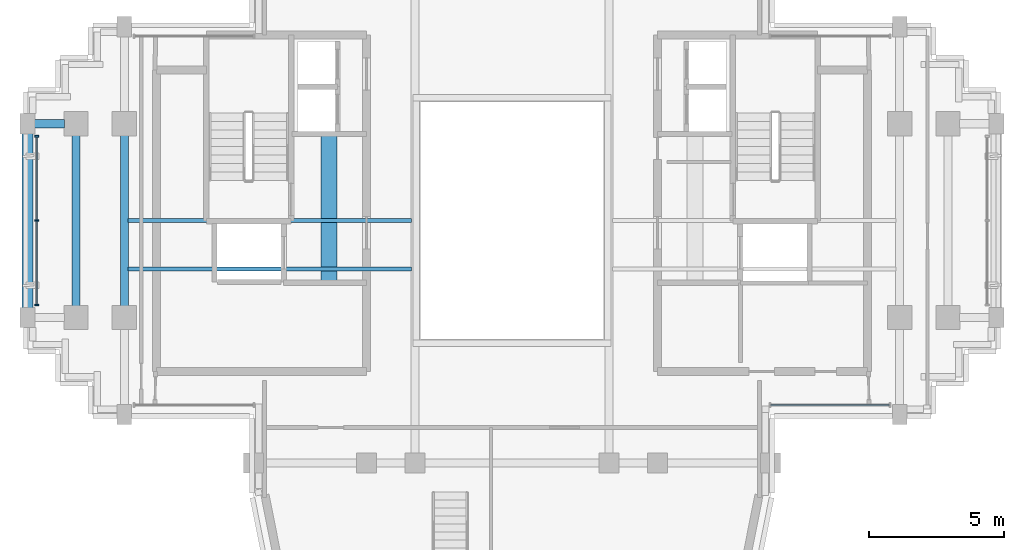
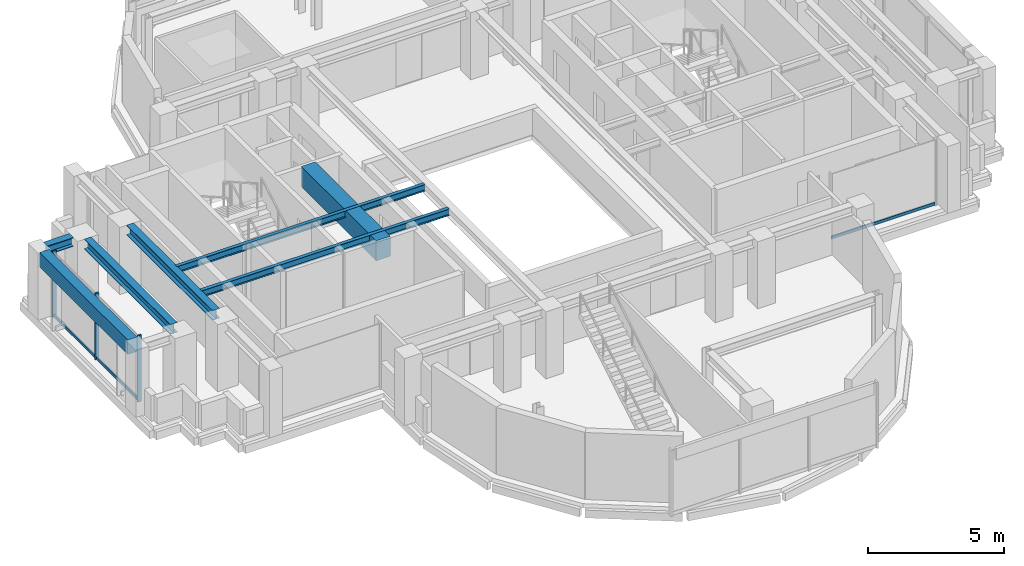
# One storey, part 4 of 12: 7 beams, 6 members, 2 elements without a shape of their own.
"""IFC4 building model written with IfcOpenShell, lengths in metres."""

from ifc_helpers import new_model, si_unit, direction, frame, origin, origin_2d, place, context, subcontext, project, spatial, rectangle, i_section, extrude, source, transform, mapped, material, material_profile, profile_set, type_object, element, aggregate, save


model = new_model("IFC4")

# Units and contexts
model_context = context("Model", 3, precision=1e-05, world=origin(), true_north=direction((0.0, 1.0)))
body_context = subcontext(model_context, "Body", "Model", "MODEL_VIEW")
ifc_project = project(units=[si_unit("LENGTHUNIT", "METRE"), si_unit("AREAUNIT", "SQUARE_METRE"), si_unit("VOLUMEUNIT", "CUBIC_METRE"), si_unit("PLANEANGLEUNIT", "RADIAN"), si_unit("MASSUNIT", "GRAM", prefix="KILO")], contexts=[model_context])

# Site, building, storey
site_placement = place(None, origin())
site = spatial("IfcSite", under=ifc_project, at=site_placement, CompositionType="ELEMENT")
building_placement = place(site_placement, origin())
building = spatial("IfcBuilding", under=site, at=building_placement, Name="Keilestroom Media Tower", CompositionType="ELEMENT")
storey_placement = place(building_placement, frame((0.0, 0.0, 239.60009765625)))
storey = spatial("IfcBuildingStorey", under=building, at=storey_placement, Name="L66", CompositionType="ELEMENT", Elevation=239.60009765625)

# Beams
ifc_material_1 = material(Name="Concrete C70/85", Category="concrete")
ifc_material_profile_1 = material_profile(ifc_material_1, rectangle(XDim=0.60009765625, YDim=0.89990234375, at=origin_2d()), Name="RC 600x900")
ifc_profile_set_1 = profile_set([ifc_material_profile_1], Name="Concrete C70/85")
beam_type_1 = type_object("IfcBeamType", Name="Core-Coupling-Lintel-Beam-RC-600x900", PredefinedType="LINTEL", material=ifc_profile_set_1)
shared_shape_1 = source(origin(), body_context, "Body", "SweptSolid", [
    extrude(rectangle(XDim=0.60009765625, YDim=0.89990234375, at=origin_2d()), origin(), (0.0, 0.0, 1.0), 5.52001953125),
])
beam_1_placement = place(storey_placement, frame((-6.800048828125, -2.300048828125, 2.559814453125), z_axis=(0.0, 1.0, 0.0), x_axis=(-1.0, 0.0, 0.0)))
element("IfcBeam", 1, at=beam_1_placement, inside=storey, type_object=beam_type_1, Name="L66 Beam CLB-1 CLB-L66-W", PredefinedType="LINTEL", context=body_context, shape_type="MappedRepresentation", body=[
    mapped(shared_shape_1, transform((0.0, 0.0, 0.0), x_axis=(1.0, 0.0, 0.0), y_axis=(0.0, 1.0, 0.0), z_axis=(0.0, 0.0, 1.0), scale=1.0)),
])
ifc_material_2 = material(Name="Steel S355", Category="steel")
ifc_material_profile_2 = material_profile(ifc_material_2, i_section(OverallWidth=0.300048828125, OverallDepth=0.39990234375, WebThickness=0.011474609375, FlangeThickness=0.02392578125, at=origin_2d()), Name="HEB 400")
ifc_profile_set_2 = profile_set([ifc_material_profile_2], Name="Steel S355")
beam_type_2 = type_object("IfcBeamType", Name="Primary-Structural-Girder-HEB-400", PredefinedType="BEAM", material=ifc_profile_set_2)
shared_shape_2 = source(origin(), body_context, "Body", "SweptSolid", [
    extrude(i_section(OverallWidth=0.300048828125, OverallDepth=0.39990234375, WebThickness=0.011474609375, FlangeThickness=0.02392578125, at=origin_2d()), origin(), (0.0, 0.0, 1.0), 1.115234375),
])
beam_2_placement = place(storey_placement, frame((-17.7451171875, 3.60009765625, 2.809814453125), z_axis=(1.0, 0.0, 0.0), x_axis=(0.0, 1.0, 0.0)))
element("IfcBeam", 2, at=beam_2_placement, inside=storey, type_object=beam_type_2, Name="L66 Beam BG-8 BM-L66-EW-012", PredefinedType="BEAM", context=body_context, shape_type="MappedRepresentation", body=[
    mapped(shared_shape_2, transform((0.0, 0.0, 0.0), x_axis=(1.0, 0.0, 0.0), y_axis=(0.0, 1.0, 0.0), z_axis=(0.0, 0.0, 1.0), scale=1.0)),
])
ifc_material_3 = material(Name="Precast concrete C40/50", Category="concrete")
ifc_material_profile_3 = material_profile(ifc_material_3, rectangle(XDim=0.39990234375, YDim=0.64990234375, at=origin_2d()), Name="PC 400x650")
ifc_profile_set_3 = profile_set([ifc_material_profile_3], Name="Precast concrete C40/50")
beam_type_3 = type_object("IfcBeamType", Name="Perimeter-Spandrel-Beam-PC-400x650", PredefinedType="SPANDREL", material=ifc_profile_set_3)
shared_shape_3 = source(origin(), body_context, "Body", "SweptSolid", [
    extrude(rectangle(XDim=0.39990234375, YDim=0.64990234375, at=origin_2d()), origin(), (0.0, 0.0, 1.0), 6.490234375),
])
beam_3_placement = place(storey_placement, frame((-18.0, -3.2451171875, 2.684814453125), z_axis=(0.0, 1.0, 0.0), x_axis=(-1.0, 0.0, 0.0)))
element("IfcBeam", 3, at=beam_3_placement, inside=storey, type_object=beam_type_3, Name="L66 Beam SPB-2 BM-L66-NS-025", PredefinedType="SPANDREL", context=body_context, shape_type="MappedRepresentation", body=[
    mapped(shared_shape_3, transform((0.0, 0.0, 0.0), x_axis=(1.0, 0.0, 0.0), y_axis=(0.0, 1.0, 0.0), z_axis=(0.0, 0.0, 1.0), scale=1.0)),
])
ifc_material_profile_4 = material_profile(ifc_material_2, i_section(OverallWidth=0.300048828125, OverallDepth=0.43994140625, WebThickness=0.011474609375, FlangeThickness=0.02099609375, at=origin_2d()), Name="HEA 450")
ifc_profile_set_4 = profile_set([ifc_material_profile_4], Name="Steel S355")
beam_type_4 = type_object("IfcBeamType", Name="Primary-Structural-Girder-HEA-450", PredefinedType="BEAM", material=ifc_profile_set_4)
shared_shape_4 = source(origin(), body_context, "Body", "SweptSolid", [
    extrude(i_section(OverallWidth=0.300048828125, OverallDepth=0.43994140625, WebThickness=0.011474609375, FlangeThickness=0.02099609375, at=origin_2d()), origin(), (0.0, 0.0, 1.0), 6.33984375),
])
for number, where, z_axis, x_axis, name in (
    (4, (-16.199951171875, -3.169921875, 2.789794921875), (0.0, 1.0, 0.0), (-1.0, 0.0, 0.0), "L66 Beam BG-11 BM-L66-NS-026"),
    (5, (-14.39990234375, -3.169921875, 2.789794921875), (0.0, 1.0, 0.0), (-1.0, 0.0, 0.0), "L66 Beam BG-11 BM-L66-NS-028"),
):
    element("IfcBeam", number, at=place(storey_placement, frame(where, z_axis=z_axis, x_axis=x_axis)), inside=storey, type_object=beam_type_4, Name=name, PredefinedType="BEAM", context=body_context, shape_type="MappedRepresentation", body=[
        mapped(shared_shape_4, transform((0.0, 0.0, 0.0), x_axis=(1.0, 0.0, 0.0), y_axis=(0.0, 1.0, 0.0), z_axis=(0.0, 0.0, 1.0), scale=1.0)),
    ])
ifc_material_profile_5 = material_profile(ifc_material_2, i_section(OverallWidth=0.14990234375, OverallDepth=0.300048828125, WebThickness=0.007080078125, FlangeThickness=0.0107421875, at=origin_2d()), Name="IPE 300")
ifc_profile_set_5 = profile_set([ifc_material_profile_5], Name="Steel S355")
beam_type_5 = type_object("IfcBeamType", Name="Secondary-Floor-Joist-IPE-300", PredefinedType="JOIST", material=ifc_profile_set_5)
shared_shape_5 = source(origin(), body_context, "Body", "SweptSolid", [
    extrude(i_section(OverallWidth=0.14990234375, OverallDepth=0.300048828125, WebThickness=0.007080078125, FlangeThickness=0.0107421875, at=origin_2d()), origin(), (0.0, 0.0, 1.0), 10.5400390625),
])
for number, where, z_axis, x_axis, name in (
    (6, (-14.27001953125, -1.800048828125, 2.85986328125), (1.0, 0.0, 0.0), (0.0, 1.0, 0.0), "L66 Beam BJ-7 JST-L66-045"),
    (7, (-14.27001953125, 0.0, 2.85986328125), (1.0, 0.0, 0.0), (0.0, 1.0, 0.0), "L66 Beam BJ-7 JST-L66-048"),
):
    element("IfcBeam", number, at=place(storey_placement, frame(where, z_axis=z_axis, x_axis=x_axis)), inside=storey, type_object=beam_type_5, Name=name, PredefinedType="JOIST", context=body_context, shape_type="MappedRepresentation", body=[
        mapped(shared_shape_5, transform((0.0, 0.0, 0.0), x_axis=(1.0, 0.0, 0.0), y_axis=(0.0, 1.0, 0.0), z_axis=(0.0, 0.0, 1.0), scale=1.0)),
    ])

# Curtain wall, members
ifc_material_4 = material(Name="Anodised Aluminium Alloy", Category="aluminium")
curtain_wall_type = type_object("IfcCurtainWallType", Name="Unitised-Curtain-Wall-CW-4", PredefinedType="NOTDEFINED", material=ifc_material_4)
curtain_wall_1_placement = place(storey_placement, origin())
curtain_wall_1 = element("IfcCurtainWall", 8, at=curtain_wall_1_placement, inside=storey, type_object=curtain_wall_type, Name="L66 Curtain Wall CW-4 CW-L66-W-1", PredefinedType="NOTDEFINED")
ifc_material_profile_6 = material_profile(ifc_material_4, rectangle(XDim=0.06005859375, YDim=0.159912109375, at=origin_2d()), Name="ALU MULLION 60x160")
ifc_profile_set_6 = profile_set([ifc_material_profile_6], Name="Anodised Aluminium Alloy")
member_type_1 = type_object("IfcMemberType", Name="Curtain-Wall-Mullion-CW-4", PredefinedType="MULLION", material=ifc_profile_set_6)
shared_shape_6 = source(origin(), body_context, "Body", "SweptSolid", [
    extrude(rectangle(XDim=0.06005859375, YDim=0.159912109375, at=origin_2d()), origin(), (0.0, 0.0, 1.0), 2.97998046875),
])
member_1_placement = place(storey_placement, frame((-17.64990234375, -3.135009765625, 0.0), z_axis=(0.0, 0.0, 1.0), x_axis=(0.0, 1.0, 0.0)))
member_1 = element("IfcMember", 9, at=member_1_placement, type_object=member_type_1, Name="CW-4 Mullion 00", PredefinedType="MULLION", context=body_context, shape_type="MappedRepresentation", body=[
    mapped(shared_shape_6, transform((0.0, 0.0, 0.0), x_axis=(1.0, 0.0, 0.0), y_axis=(0.0, 1.0, 0.0), z_axis=(0.0, 0.0, 1.0), scale=1.0)),
])
member_2_placement = place(storey_placement, frame((-17.64990234375, 0.0, 0.0), z_axis=(0.0, 0.0, 1.0), x_axis=(0.0, 1.0, 0.0)))
member_2 = element("IfcMember", 10, at=member_2_placement, type_object=member_type_1, Name="CW-4 Mullion 01", PredefinedType="MULLION", context=body_context, shape_type="MappedRepresentation", body=[
    mapped(shared_shape_6, transform((0.0, 0.0, 0.0), x_axis=(1.0, 0.0, 0.0), y_axis=(0.0, 1.0, 0.0), z_axis=(0.0, 0.0, 1.0), scale=1.0)),
])
member_3_placement = place(storey_placement, frame((-17.64990234375, 3.135009765625, 0.0), z_axis=(0.0, 0.0, 1.0), x_axis=(0.0, 1.0, 0.0)))
member_3 = element("IfcMember", 11, at=member_3_placement, type_object=member_type_1, Name="CW-4 Mullion 02", PredefinedType="MULLION", context=body_context, shape_type="MappedRepresentation", body=[
    mapped(shared_shape_6, transform((0.0, 0.0, 0.0), x_axis=(1.0, 0.0, 0.0), y_axis=(0.0, 1.0, 0.0), z_axis=(0.0, 0.0, 1.0), scale=1.0)),
])
ifc_material_profile_7 = material_profile(ifc_material_4, rectangle(XDim=0.06005859375, YDim=0.1298828125, at=origin_2d()), Name="ALU TRANSOM 60x130")
ifc_profile_set_7 = profile_set([ifc_material_profile_7], Name="Anodised Aluminium Alloy")
member_type_2 = type_object("IfcMemberType", Name="Curtain-Wall-Transom-CW-4", PredefinedType="USERDEFINED", material=ifc_profile_set_7)
shared_shape_7 = source(origin(), body_context, "Body", "SweptSolid", [
    extrude(rectangle(XDim=0.06005859375, YDim=0.1298828125, at=origin_2d()), origin(), (0.0, 0.0, 1.0), 3.078857421875),
])
member_4_placement = place(storey_placement, frame((-17.64990234375, -3.10693359375, 0.06494140625), z_axis=(0.0, 1.0, 0.0), x_axis=(-1.0, 0.0, 0.0)))
member_4 = element("IfcMember", 12, at=member_4_placement, type_object=member_type_2, Name="CW-4 Transom 00.1", ObjectType="TRANSOM", PredefinedType="USERDEFINED", context=body_context, shape_type="MappedRepresentation", body=[
    mapped(shared_shape_7, transform((0.0, 0.0, 0.0), x_axis=(1.0, 0.0, 0.0), y_axis=(0.0, 1.0, 0.0), z_axis=(0.0, 0.0, 1.0), scale=1.0)),
])
member_5_placement = place(storey_placement, frame((-17.64990234375, 0.028076171875, 0.06494140625), z_axis=(0.0, 1.0, 0.0), x_axis=(-1.0, 0.0, 0.0)))
member_5 = element("IfcMember", 13, at=member_5_placement, type_object=member_type_2, Name="CW-4 Transom 01.1", ObjectType="TRANSOM", PredefinedType="USERDEFINED", context=body_context, shape_type="MappedRepresentation", body=[
    mapped(shared_shape_7, transform((0.0, 0.0, 0.0), x_axis=(1.0, 0.0, 0.0), y_axis=(0.0, 1.0, 0.0), z_axis=(0.0, 0.0, 1.0), scale=1.0)),
])
aggregate(curtain_wall_1, [member_1, member_2, member_3, member_4, member_5])

# Curtain wall, member
curtain_wall_2_placement = place(storey_placement, origin())
curtain_wall_2 = element("IfcCurtainWall", 14, at=curtain_wall_2_placement, inside=storey, type_object=curtain_wall_type, Name="L66 Curtain Wall CW-4 CW-L66-SE-1", PredefinedType="NOTDEFINED")
shared_shape_8 = source(origin(), body_context, "Body", "SweptSolid", [
    extrude(rectangle(XDim=0.06005859375, YDim=0.1298828125, at=origin_2d()), origin(), (0.0, 0.0, 1.0), 4.399169921875),
])
member_6_placement = place(storey_placement, frame((9.60791015625, -6.85009765625, 0.06494140625), z_axis=(1.0, 0.0, 0.0), x_axis=(0.0, 1.0, 0.0)))
member_6 = element("IfcMember", 15, at=member_6_placement, type_object=member_type_2, Name="CW-4 Transom 00.1", ObjectType="TRANSOM", PredefinedType="USERDEFINED", context=body_context, shape_type="MappedRepresentation", body=[
    mapped(shared_shape_8, transform((0.0, 0.0, 0.0), x_axis=(1.0, 0.0, 0.0), y_axis=(0.0, 1.0, 0.0), z_axis=(0.0, 0.0, 1.0), scale=1.0)),
])
aggregate(curtain_wall_2, [member_6])

save(model, "model.ifc")
